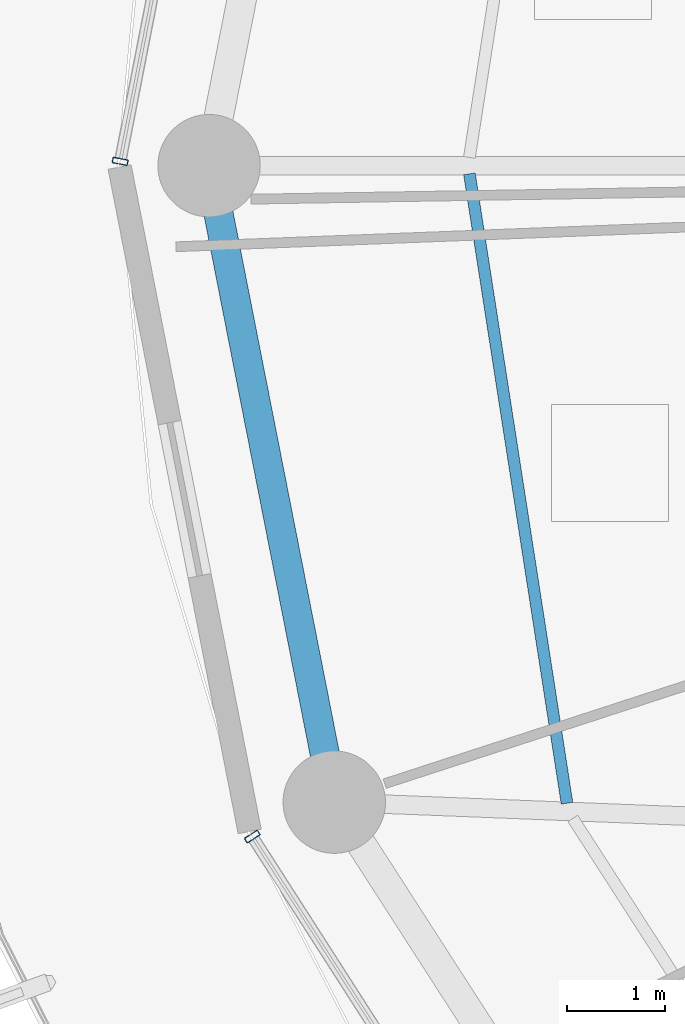
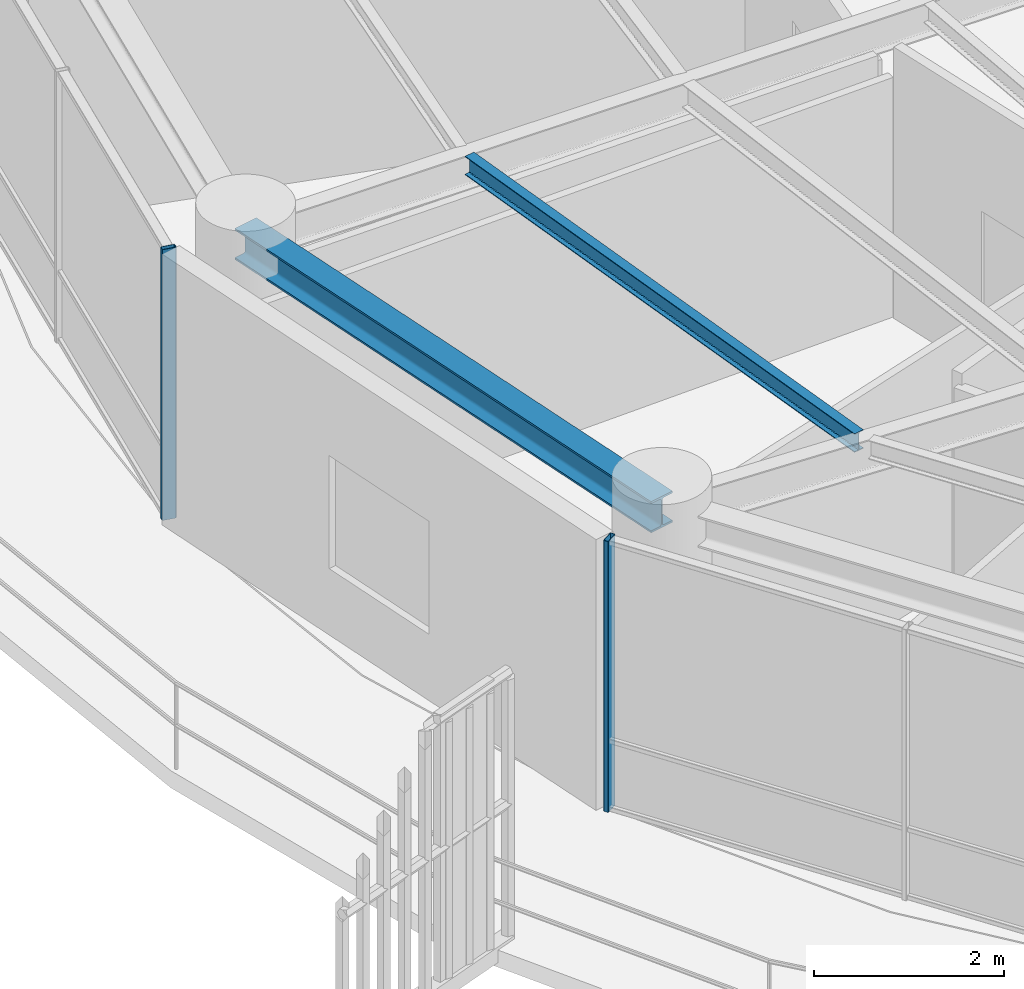
# One storey, part 6 of 30: 2 beams, 2 members, 2 elements without a shape of their own.
"""IFC4 building model written with IfcOpenShell, lengths in metres."""

from ifc_helpers import new_model, si_unit, direction, frame, origin, origin_2d, place, context, subcontext, project, spatial, hollow_rectangle, i_section, extrude, material, layer, layer_set, material_profile, profile_set, type_object, element, aggregate, save


model = new_model("IFC4")

# Units and contexts
model_context = context("Model", 3, precision=1e-05, world=origin(), true_north=direction((0.0, 1.0)))
body_context = subcontext(model_context, "Body", "Model", "MODEL_VIEW")
ifc_project = project(units=[si_unit("LENGTHUNIT", "METRE"), si_unit("AREAUNIT", "SQUARE_METRE"), si_unit("VOLUMEUNIT", "CUBIC_METRE"), si_unit("PLANEANGLEUNIT", "RADIAN"), si_unit("MASSUNIT", "GRAM", prefix="KILO")], contexts=[model_context])

# Site, building, storey
site_placement = place(None, origin())
site = spatial("IfcSite", under=ifc_project, at=site_placement, CompositionType="ELEMENT")
building_placement = place(site_placement, origin())
building = spatial("IfcBuilding", under=site, at=building_placement, Name="Kelanora Arch Commons", CompositionType="ELEMENT")
storey_placement = place(building_placement, frame((0.0, 0.0, 211.949951171875)))
storey = spatial("IfcBuildingStorey", under=building, at=storey_placement, Name="L54", CompositionType="ELEMENT", Elevation=211.949951171875)

# Beams
ifc_material_1 = material(Name="Steel S355", Category="steel")
ifc_material_profile_1 = material_profile(ifc_material_1, i_section(OverallWidth=0.1201171875, OverallDepth=0.239990234375, WebThickness=0.006103515625, FlangeThickness=0.009765625, FilletRadius=0.014892578125, at=origin_2d()), Name="IPE240")
ifc_profile_set_1 = profile_set([ifc_material_profile_1], Name="Steel S355")
beam_type_1 = type_object("IfcBeamType", Name="BM-JST-02", PredefinedType="JOIST", material=ifc_profile_set_1)
beam_1_placement = place(storey_placement, frame((55.388916015625, 57.916015625, 3.3701171875), z_axis=(0.153256756152, -0.988186402808, 0.0), x_axis=(0.988186402808, 0.153256756152, 0.0)))
element("IfcBeam", 1, at=beam_1_placement, inside=storey, type_object=beam_type_1, Name="Secondary Chord Joist BJC-18 L54", PredefinedType="JOIST", context=body_context, shape_type="SweptSolid", body=[
    extrude(i_section(OverallWidth=0.1201171875, OverallDepth=0.239990234375, WebThickness=0.006103515625, FlangeThickness=0.009765625, FilletRadius=0.014892578125, at=origin_2d()), origin(), (0.0, 0.0, 1.0), 6.52978515625),
])
ifc_material_profile_2 = material_profile(ifc_material_1, i_section(OverallWidth=0.300048828125, OverallDepth=0.39990234375, WebThickness=0.013427734375, FlangeThickness=0.02392578125, FilletRadius=0.027099609375, at=origin_2d()), Name="HEB400")
ifc_profile_set_2 = profile_set([ifc_material_profile_2], Name="Steel S355")
beam_type_2 = type_object("IfcBeamType", Name="BM-SPN-Z4", PredefinedType="SPANDREL", material=ifc_profile_set_2)
beam_2_placement = place(storey_placement, frame((52.719970703125, 58.0, 3.2900390625), z_axis=(0.192980724826, -0.981202547819, 0.0), x_axis=(0.981202547819, 0.192980724826, 0.0)))
element("IfcBeam", 2, at=beam_2_placement, inside=storey, type_object=beam_type_2, Name="Perimeter Spandrel Beam BS-18 L54", PredefinedType="SPANDREL", context=body_context, shape_type="SweptSolid", body=[
    extrude(i_section(OverallWidth=0.300048828125, OverallDepth=0.39990234375, WebThickness=0.013427734375, FlangeThickness=0.02392578125, FilletRadius=0.027099609375, at=origin_2d()), origin(), (0.0, 0.0, 1.0), 6.650634765625),
])

# Curtain wall, member
ifc_material_2 = material(Name="Terracotta ceramic-fritted low-E glass and aluminium", Category="masonry")
ifc_layer = layer(ifc_material_2, 0.175048828125)
ifc_layer_set = layer_set([ifc_layer], Name="Terracotta ceramic-fritted low-E glass and aluminium")
curtain_wall_type = type_object("IfcCurtainWallType", Name="CW-SYS-02", PredefinedType="NOTDEFINED", material=ifc_layer_set)
curtain_wall_1_placement = place(storey_placement, origin())
curtain_wall_1 = element("IfcCurtainWall", 3, at=curtain_wall_1_placement, inside=storey, type_object=curtain_wall_type, Name="Unitised Curtain Wall L54-B08", PredefinedType="NOTDEFINED")
ifc_material_3 = material(Name="Powder-coated aluminium terracotta", Category="masonry")
ifc_material_profile_3 = material_profile(ifc_material_3, hollow_rectangle(XDim=0.159912109375, YDim=0.06005859375, WallThickness=0.0048828125, InnerFilletRadius=0.0048828125, OuterFilletRadius=0.010009765625, at=origin_2d()), Name="CWM160x60")
ifc_profile_set_3 = profile_set([ifc_material_profile_3], Name="Powder-coated aluminium terracotta")
member_type = type_object("IfcMemberType", Name="CWM-STD", PredefinedType="MULLION", material=ifc_profile_set_3)
member_1_placement = place(storey_placement, frame((51.80859375, 58.044189453125, 0.0), z_axis=(0.0, 0.0, 1.0), x_axis=(0.981381438349, -0.192068926335, 0.0)))
member_1 = element("IfcMember", 4, at=member_1_placement, type_object=member_type, Name="CW-02 mullion 3", PredefinedType="MULLION", context=body_context, shape_type="SweptSolid", body=[
    extrude(hollow_rectangle(XDim=0.159912109375, YDim=0.06005859375, WallThickness=0.0048828125, InnerFilletRadius=0.0048828125, OuterFilletRadius=0.010009765625, at=origin_2d()), origin(), (0.0, 0.0, 1.0), 3.47509765625),
])
aggregate(curtain_wall_1, [member_1])

curtain_wall_2_placement = place(storey_placement, origin())
curtain_wall_2 = element("IfcCurtainWall", 5, at=curtain_wall_2_placement, inside=storey, type_object=curtain_wall_type, Name="Unitised Curtain Wall L54-B10", PredefinedType="NOTDEFINED")
member_2_placement = place(storey_placement, frame((53.1630859375, 51.121826171875, 0.0), z_axis=(0.0, 0.0, 1.0), x_axis=(0.84194757539, 0.539559338994, 0.0)))
member_2 = element("IfcMember", 6, at=member_2_placement, type_object=member_type, Name="CW-02 mullion 1", PredefinedType="MULLION", context=body_context, shape_type="SweptSolid", body=[
    extrude(hollow_rectangle(XDim=0.159912109375, YDim=0.06005859375, WallThickness=0.0048828125, InnerFilletRadius=0.0048828125, OuterFilletRadius=0.010009765625, at=origin_2d()), origin(), (0.0, 0.0, 1.0), 3.47509765625),
])
aggregate(curtain_wall_2, [member_2])

save(model, "model.ifc")
